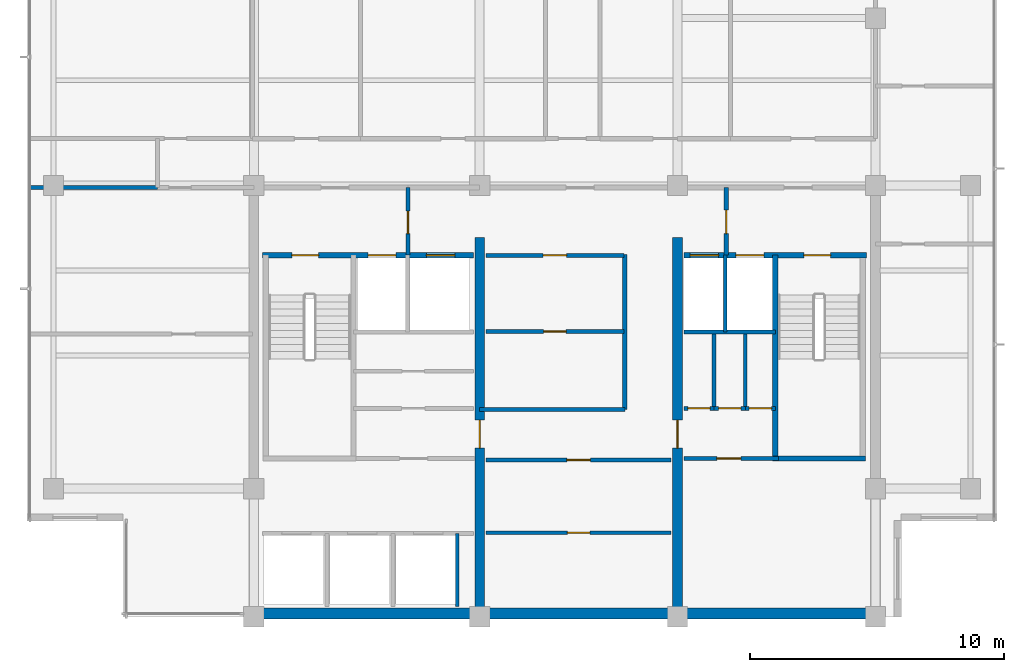
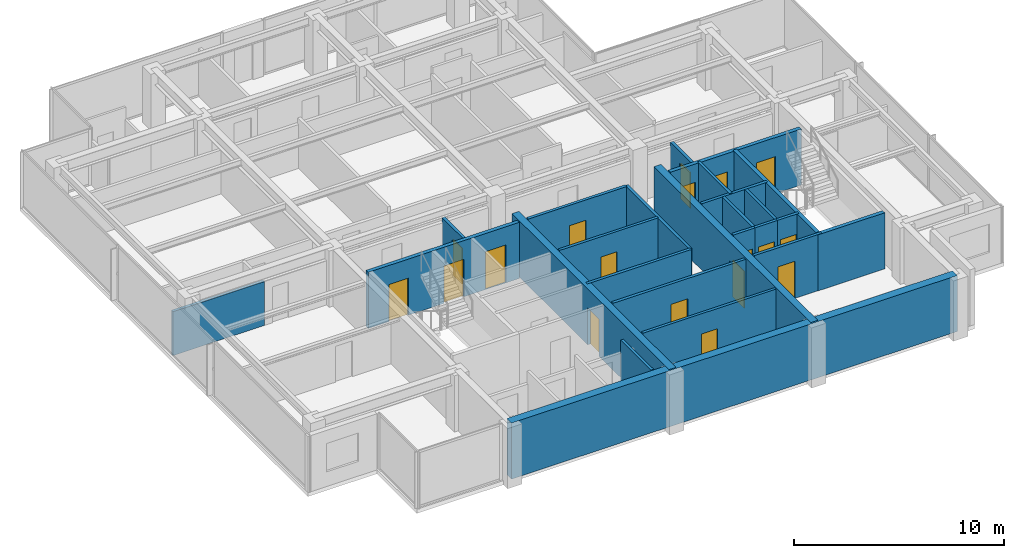
# One storey, part 6 of 11: 25 walls, 18 doors, 18 openings.
"""IFC4 building model written with IfcOpenShell, lengths in metres."""

from ifc_helpers import new_model, si_unit, direction, frame, frame_2d, origin, place, context, subcontext, project, spatial, rectangle, extrude, material, layer, layer_set, type_object, element, fill, save


model = new_model("IFC4")

# Units and contexts
model_context = context("Model", 3, precision=1e-05, world=origin(), true_north=direction((0.0, 1.0)))
body_context = subcontext(model_context, "Body", "Model", "MODEL_VIEW")
ifc_project = project(units=[si_unit("LENGTHUNIT", "METRE"), si_unit("AREAUNIT", "SQUARE_METRE"), si_unit("VOLUMEUNIT", "CUBIC_METRE"), si_unit("PLANEANGLEUNIT", "RADIAN"), si_unit("MASSUNIT", "GRAM", prefix="KILO")], contexts=[model_context])

# Site, building, storey
site_placement = place(None, origin())
site = spatial("IfcSite", under=ifc_project, at=site_placement, CompositionType="ELEMENT")
building_placement = place(site_placement, origin())
building = spatial("IfcBuilding", under=site, at=building_placement, Name="Qalmaran Belvedere Hotel", CompositionType="ELEMENT")
storey_placement = place(building_placement, frame((0.0, 0.0, 245.89990234375)))
storey = spatial("IfcBuildingStorey", under=building, at=storey_placement, Name="L63", CompositionType="ELEMENT", Elevation=245.89990234375)

# Wall, opening, door
ifc_material_1 = material(Name="Concrete C50/60", Category="concrete")
ifc_layer_1 = layer(ifc_material_1, 0.3798828125, Name="Concrete C50/60")
ifc_layer_set_1 = layer_set([ifc_layer_1], Name="Concrete C50/60")
wall_type_1 = type_object("IfcWallType", Name="WL-CORE-380-C50", PredefinedType="SHEAR", material=ifc_layer_set_1)
wall_1_placement = place(storey_placement, frame((29.199951171875, 3.5, 0.0), z_axis=(0.0, 0.0, 1.0), x_axis=(0.0, 1.0, 0.0)))
wall_1 = element("IfcWall", 1, at=wall_1_placement, inside=storey, type_object=wall_type_1, Name="L63 Core West Spine Shear Wall", PredefinedType="SHEAR", context=body_context, shape_type="SweptSolid", body=[
    extrude(rectangle(XDim=14.949951171875, YDim=0.3798828125, at=frame_2d((7.47509765625, 0.0))), origin(), (0.0, 0.0, 1.0), 3.260009765625),
])
opening_1_placement = place(wall_1_placement, frame((7.75, 0.0, 0.0), z_axis=(0.0, 0.0, 1.0), x_axis=(-1.0, 0.0, 0.0)))
opening_1 = element("IfcOpeningElement", 2, at=opening_1_placement, cuts=wall_1, Name="Opening FD90", PredefinedType="OPENING", context=body_context, shape_type="SweptSolid", body=[
    extrude(rectangle(XDim=1.10009765625, YDim=2.14990234375, at=frame_2d((0.550048828125, 1.074951171875))), frame((0.0, 0.199951171875, 0.0), z_axis=(0.0, -1.0, 0.0), x_axis=(1.0, 0.0, 0.0)), (0.0, 0.0, 1.0), 0.39990234375),
])
ifc_material_2 = material(Name="Steel S355JR", Category="steel")
door_type_1 = type_object("IfcDoorType", Name="DR-FD90-1100X2150", OperationType="NOTDEFINED", PredefinedType="DOOR", material=ifc_material_2)
door_1_placement = place(opening_1_placement, origin())
door_1 = element("IfcDoor", 3, at=door_1_placement, inside=storey, type_object=door_type_1, Name="L63 Core West Cross-Lobby Door", OperationType="SINGLE_SWING_LEFT", OverallHeight=2.14990234375, OverallWidth=1.10009765625, PredefinedType="DOOR", context=body_context, shape_type="SweptSolid", body=[
    extrude(rectangle(XDim=1.10009765625, YDim=2.14990234375, at=frame_2d((0.550048828125, 1.074951171875))), frame((0.0, 0.02490234375, 0.0), z_axis=(0.0, -1.0, 0.0), x_axis=(1.0, 0.0, 0.0)), (0.0, 0.0, 1.0), 0.050048828125),
])
fill(opening_1, door_1)

wall_2_placement = place(storey_placement, frame((37.0, 3.5, 0.0), z_axis=(0.0, 0.0, 1.0), x_axis=(0.0, 1.0, 0.0)))
wall_2 = element("IfcWall", 4, at=wall_2_placement, inside=storey, type_object=wall_type_1, Name="L63 Core East Spine Shear Wall", PredefinedType="SHEAR", context=body_context, shape_type="SweptSolid", body=[
    extrude(rectangle(XDim=14.949951171875, YDim=0.3798828125, at=frame_2d((7.47509765625, 0.0))), origin(), (0.0, 0.0, 1.0), 3.260009765625),
])
opening_2_placement = place(wall_2_placement, frame((6.64990234375, 0.0, 0.0)))
opening_2 = element("IfcOpeningElement", 5, at=opening_2_placement, cuts=wall_2, Name="Opening FD90", PredefinedType="OPENING", context=body_context, shape_type="SweptSolid", body=[
    extrude(rectangle(XDim=1.10009765625, YDim=2.14990234375, at=frame_2d((0.550048828125, 1.074951171875))), frame((0.0, 0.199951171875, 0.0), z_axis=(0.0, -1.0, 0.0), x_axis=(1.0, 0.0, 0.0)), (0.0, 0.0, 1.0), 0.39990234375),
])
door_2_placement = place(opening_2_placement, origin())
door_2 = element("IfcDoor", 6, at=door_2_placement, inside=storey, type_object=door_type_1, Name="L63 Core East Cross-Lobby Door", OperationType="SINGLE_SWING_RIGHT", OverallHeight=2.14990234375, OverallWidth=1.10009765625, PredefinedType="DOOR", context=body_context, shape_type="SweptSolid", body=[
    extrude(rectangle(XDim=1.10009765625, YDim=2.14990234375, at=frame_2d((0.550048828125, 1.074951171875))), frame((0.0, 0.02490234375, 0.0), z_axis=(0.0, -1.0, 0.0), x_axis=(1.0, 0.0, 0.0)), (0.0, 0.0, 1.0), 0.050048828125),
])
fill(opening_2, door_2)

# Walls
ifc_layer_2 = layer(ifc_material_1, 0.43994140625, Name="Concrete C50/60")
ifc_layer_set_2 = layer_set([ifc_layer_2], Name="Concrete C50/60")
wall_type_2 = type_object("IfcWallType", Name="WL-CORES-440-EXT", PredefinedType="SHEAR", material=ifc_layer_set_2)
wall_3_placement = place(storey_placement, frame((20.300048828125, 3.6298828125, 0.0), z_axis=(0.0, 0.0, 1.0), x_axis=(1.0, 0.0, 0.0)))
element("IfcWall", 7, at=wall_3_placement, inside=storey, type_object=wall_type_2, Name="L63 South Core Shear Wall", PredefinedType="SHEAR", context=body_context, shape_type="SweptSolid", body=[
    extrude(rectangle(XDim=24.5, YDim=0.43994140625, at=frame_2d((12.25, 0.0))), origin(), (0.0, 0.0, 1.0), 3.260009765625),
])
ifc_material_3 = material(Name="Gypsum Stud Partition")
ifc_layer_3 = layer(ifc_material_3, 0.14990234375, Name="Gypsum Stud Partition")
ifc_layer_set_3 = layer_set([ifc_layer_3], Name="Gypsum Stud Partition")
wall_type_3 = type_object("IfcWallType", Name="WL-INT-150-EI120", PredefinedType="PARTITIONING", material=ifc_layer_set_3)
wall_4_placement = place(storey_placement, frame((38.8798828125, 14.719970703125, 0.0), z_axis=(0.0, 0.0, 1.0), x_axis=(0.0, 1.0, 0.0)))
element("IfcWall", 8, at=wall_4_placement, inside=storey, type_object=wall_type_3, Name="L63 Partition WL-FF2M-L63", PredefinedType="PARTITIONING", context=body_context, shape_type="SweptSolid", body=[
    extrude(rectangle(XDim=3.0400390625, YDim=0.14990234375, at=frame_2d((1.52001953125, 0.0))), origin(), (0.0, 0.0, 1.0), 3.260009765625),
])
wall_5_placement = place(storey_placement, frame((28.320068359375, 3.89990234375, 0.0), z_axis=(0.0, 0.0, 1.0), x_axis=(0.0, 1.0, 0.0)))
element("IfcWall", 9, at=wall_5_placement, inside=storey, type_object=wall_type_3, Name="L63 Partition WL-POM3-L63", PredefinedType="PARTITIONING", context=body_context, shape_type="SweptSolid", body=[
    extrude(rectangle(XDim=2.880126953125, YDim=0.14990234375, at=frame_2d((1.43994140625, 0.0))), origin(), (0.0, 0.0, 1.0), 3.260009765625),
])
ifc_layer_4 = layer(ifc_material_3, 0.14990234375, Name="Gypsum Stud Partition")
ifc_layer_set_4 = layer_set([ifc_layer_4], Name="Gypsum Stud Partition")
wall_type_4 = type_object("IfcWallType", Name="WL-INT-150-EI60", PredefinedType="PARTITIONING", material=ifc_layer_set_4)
for number, where, z_axis, x_axis, name in (
    (10, (38.44140625, 11.719970703125, 0.0), (0.0, 0.0, 1.0), (0.0, 1.0, 0.0), "L63 Partition WL-L63-KEV1"),
    (11, (39.668701171875, 11.719970703125, 0.0), (0.0, 0.0, 1.0), (0.0, 1.0, 0.0), "L63 Partition WL-L63-KEV2"),
):
    element("IfcWall", number, at=place(storey_placement, frame(where, z_axis=z_axis, x_axis=x_axis)), inside=storey, type_object=wall_type_4, Name=name, PredefinedType="PARTITIONING", context=body_context, shape_type="SweptSolid", body=[
        extrude(rectangle(XDim=2.929931640625, YDim=0.14990234375, at=frame_2d((1.46484375, 0.0))), origin(), (0.0, 0.0, 1.0), 3.260009765625),
    ])

# Wall, opening, door
wall_6_placement = place(storey_placement, frame((29.449951171875, 6.81494140625, 0.0), z_axis=(0.0, 0.0, 1.0), x_axis=(1.0, 0.0, 0.0)))
wall_6 = element("IfcWall", 12, at=wall_6_placement, inside=storey, type_object=wall_type_4, Name="L63 Partition WL-L63-KPLHM", PredefinedType="PARTITIONING", context=body_context, shape_type="SweptSolid", body=[
    extrude(rectangle(XDim=7.300048828125, YDim=0.14990234375, at=frame_2d((3.64990234375, 0.0))), origin(), (0.0, 0.0, 1.0), 3.260009765625),
])
opening_3_placement = place(wall_6_placement, frame((4.08984375, 0.0, 0.0), z_axis=(0.0, 0.0, 1.0), x_axis=(-1.0, 0.0, 0.0)))
opening_3 = element("IfcOpeningElement", 13, at=opening_3_placement, cuts=wall_6, Name="Opening FD60B", PredefinedType="OPENING", context=body_context, shape_type="SweptSolid", body=[
    extrude(rectangle(XDim=0.8798828125, YDim=2.080078125, at=frame_2d((0.43994140625, 1.0400390625))), frame((0.0, 0.0849609375, 0.0), z_axis=(0.0, -1.0, 0.0), x_axis=(1.0, 0.0, 0.0)), (0.0, 0.0, 1.0), 0.169921875),
])
door_type_2 = type_object("IfcDoorType", Name="DR-FD60B-880X2080", OperationType="NOTDEFINED", PredefinedType="DOOR", material=ifc_material_2)
door_3_placement = place(opening_3_placement, origin())
door_3 = element("IfcDoor", 14, at=door_3_placement, inside=storey, type_object=door_type_2, Name="L63 Housekeeping and Linen Room Door", OperationType="SINGLE_SWING_RIGHT", OverallHeight=2.080078125, OverallWidth=0.8798828125, PredefinedType="DOOR", context=body_context, shape_type="SweptSolid", body=[
    extrude(rectangle(XDim=0.8798828125, YDim=2.080078125, at=frame_2d((0.43994140625, 1.0400390625))), frame((0.0, 0.02490234375, 0.0), z_axis=(0.0, -1.0, 0.0), x_axis=(1.0, 0.0, 0.0)), (0.0, 0.0, 1.0), 0.050048828125),
])
fill(opening_3, door_3)

wall_7_placement = place(storey_placement, frame((29.449951171875, 14.7451171875, 0.0), z_axis=(0.0, 0.0, 1.0), x_axis=(1.0, 0.0, 0.0)))
wall_7 = element("IfcWall", 15, at=wall_7_placement, inside=storey, type_object=wall_type_4, Name="L63 Partition WL-L63-KPMHM", PredefinedType="PARTITIONING", context=body_context, shape_type="SweptSolid", body=[
    extrude(rectangle(XDim=5.429931640625, YDim=0.14990234375, at=frame_2d((2.71484375, 0.0))), origin(), (0.0, 0.0, 1.0), 3.260009765625),
])
opening_4_placement = place(wall_7_placement, frame((3.15478515625, 0.0, 0.0), z_axis=(0.0, 0.0, 1.0), x_axis=(-1.0, 0.0, 0.0)))
opening_4 = element("IfcOpeningElement", 16, at=opening_4_placement, cuts=wall_7, Name="Opening FD60B", PredefinedType="OPENING", context=body_context, shape_type="SweptSolid", body=[
    extrude(rectangle(XDim=0.8798828125, YDim=2.080078125, at=frame_2d((0.43994140625, 1.0400390625))), frame((0.0, 0.0849609375, 0.0), z_axis=(0.0, -1.0, 0.0), x_axis=(1.0, 0.0, 0.0)), (0.0, 0.0, 1.0), 0.169921875),
])
door_4_placement = place(opening_4_placement, origin())
door_4 = element("IfcDoor", 17, at=door_4_placement, inside=storey, type_object=door_type_2, Name="L63 Executive Butler Pantry Door", OperationType="SINGLE_SWING_RIGHT", OverallHeight=2.080078125, OverallWidth=0.8798828125, PredefinedType="DOOR", context=body_context, shape_type="SweptSolid", body=[
    extrude(rectangle(XDim=0.8798828125, YDim=2.080078125, at=frame_2d((0.43994140625, 1.0400390625))), frame((0.0, 0.02490234375, 0.0), z_axis=(0.0, -1.0, 0.0), x_axis=(1.0, 0.0, 0.0)), (0.0, 0.0, 1.0), 0.050048828125),
])
fill(opening_4, door_4)

ifc_layer_5 = layer(ifc_material_3, 0.159912109375, Name="Gypsum Stud Partition")
ifc_layer_set_5 = layer_set([ifc_layer_5], Name="Gypsum Stud Partition")
wall_type_5 = type_object("IfcWallType", Name="WL-INT-160-EI120", PredefinedType="PARTITIONING", material=ifc_layer_set_5)
wall_8_placement = place(storey_placement, frame((26.3798828125, 17.760009765625, 0.0), z_axis=(0.0, 0.0, 1.0), x_axis=(0.0, 1.0, 0.0)))
wall_8 = element("IfcWall", 18, at=wall_8_placement, inside=storey, type_object=wall_type_5, Name="L63 Partition WL-FFSV1-L63", PredefinedType="PARTITIONING", context=body_context, shape_type="SweptSolid", body=[
    extrude(rectangle(XDim=2.659912109375, YDim=0.159912109375, at=frame_2d((1.330078125, 0.0))), origin(), (0.0, 0.0, 1.0), 2.781982421875),
])
opening_5_placement = place(wall_8_placement, frame((0.85009765625, 0.0, 0.0)))
opening_5 = element("IfcOpeningElement", 19, at=opening_5_placement, cuts=wall_8, Name="Opening FD60B", PredefinedType="OPENING", context=body_context, shape_type="SweptSolid", body=[
    extrude(rectangle(XDim=0.8798828125, YDim=2.080078125, at=frame_2d((0.43994140625, 1.0400390625))), frame((0.0, 0.08984375, 0.0), z_axis=(0.0, -1.0, 0.0), x_axis=(1.0, 0.0, 0.0)), (0.0, 0.0, 1.0), 0.179931640625),
])
door_5_placement = place(opening_5_placement, origin())
door_5 = element("IfcDoor", 20, at=door_5_placement, inside=storey, type_object=door_type_2, Name="L63 Service Lobby West Door", OperationType="SINGLE_SWING_LEFT", OverallHeight=2.080078125, OverallWidth=0.8798828125, PredefinedType="DOOR", context=body_context, shape_type="SweptSolid", body=[
    extrude(rectangle(XDim=0.8798828125, YDim=2.080078125, at=frame_2d((0.43994140625, 1.0400390625))), frame((0.0, 0.02490234375, 0.0), z_axis=(0.0, -1.0, 0.0), x_axis=(1.0, 0.0, 0.0)), (0.0, 0.0, 1.0), 0.050048828125),
])
fill(opening_5, door_5)

wall_9_placement = place(storey_placement, frame((38.919921875, 17.760009765625, 0.0), z_axis=(0.0, 0.0, 1.0), x_axis=(0.0, 1.0, 0.0)))
wall_9 = element("IfcWall", 21, at=wall_9_placement, inside=storey, type_object=wall_type_5, Name="L63 Partition WL-FFSV2-L63", PredefinedType="PARTITIONING", context=body_context, shape_type="SweptSolid", body=[
    extrude(rectangle(XDim=2.659912109375, YDim=0.159912109375, at=frame_2d((1.330078125, 0.0))), origin(), (0.0, 0.0, 1.0), 2.781982421875),
])
opening_6_placement = place(wall_9_placement, frame((1.77001953125, 0.0, 0.0), z_axis=(0.0, 0.0, 1.0), x_axis=(-1.0, 0.0, 0.0)))
opening_6 = element("IfcOpeningElement", 22, at=opening_6_placement, cuts=wall_9, Name="Opening FD60S1", PredefinedType="OPENING", context=body_context, shape_type="SweptSolid", body=[
    extrude(rectangle(XDim=0.919921875, YDim=2.080078125, at=frame_2d((0.4599609375, 1.0400390625))), frame((0.0, 0.08984375, 0.0), z_axis=(0.0, -1.0, 0.0), x_axis=(1.0, 0.0, 0.0)), (0.0, 0.0, 1.0), 0.179931640625),
])
ifc_material_4 = material(Name="Engineered Oak Veneer")
door_type_3 = type_object("IfcDoorType", Name="DR-FD60S-920X2080", OperationType="NOTDEFINED", PredefinedType="DOOR", material=ifc_material_4)
door_6_placement = place(opening_6_placement, origin())
door_6 = element("IfcDoor", 23, at=door_6_placement, inside=storey, type_object=door_type_3, Name="L63 Service Lobby East Door", OperationType="SINGLE_SWING_RIGHT", OverallHeight=2.080078125, OverallWidth=0.919921875, PredefinedType="DOOR", context=body_context, shape_type="SweptSolid", body=[
    extrude(rectangle(XDim=0.919921875, YDim=2.080078125, at=frame_2d((0.4599609375, 1.0400390625))), frame((0.0, 0.02490234375, 0.0), z_axis=(0.0, -1.0, 0.0), x_axis=(1.0, 0.0, 0.0)), (0.0, 0.0, 1.0), 0.050048828125),
])
fill(opening_6, door_6)

# Wall
wall_10_placement = place(storey_placement, frame((37.25, 14.719970703125, 0.0), z_axis=(0.0, 0.0, 1.0), x_axis=(1.0, 0.0, 0.0)))
element("IfcWall", 24, at=wall_10_placement, inside=storey, type_object=wall_type_5, Name="L63 Partition WL-FF2S-L63", PredefinedType="PARTITIONING", context=body_context, shape_type="SweptSolid", body=[
    extrude(rectangle(XDim=3.610107421875, YDim=0.159912109375, at=frame_2d((1.80517578125, 0.0))), origin(), (0.0, 0.0, 1.0), 3.260009765625),
])

# Wall, opening, door
ifc_layer_6 = layer(ifc_material_3, 0.159912109375, Name="Gypsum Stud Partition")
ifc_layer_set_6 = layer_set([ifc_layer_6], Name="Gypsum Stud Partition")
wall_type_6 = type_object("IfcWallType", Name="WL-INT-160-EI60", PredefinedType="PARTITIONING", material=ifc_layer_set_6)
wall_11_placement = place(storey_placement, frame((37.25, 11.719970703125, 0.0), z_axis=(0.0, 0.0, 1.0), x_axis=(1.0, 0.0, 0.0)))
wall_11 = element("IfcWall", 25, at=wall_11_placement, inside=storey, type_object=wall_type_6, Name="L63 Partition WL-L63-KEE1", PredefinedType="PARTITIONING", context=body_context, shape_type="SweptSolid", body=[
    extrude(rectangle(XDim=1.19140625, YDim=0.159912109375, at=frame_2d((0.595703125, 0.0))), origin(), (0.0, 0.0, 1.0), 3.260009765625),
])
opening_7_placement = place(wall_11_placement, frame((0.155517578125, 0.0, 0.0)))
opening_7 = element("IfcOpeningElement", 26, at=opening_7_placement, cuts=wall_11, Name="Opening FD60B", PredefinedType="OPENING", context=body_context, shape_type="SweptSolid", body=[
    extrude(rectangle(XDim=0.8798828125, YDim=2.080078125, at=frame_2d((0.43994140625, 1.0400390625))), frame((0.0, 0.08984375, 0.0), z_axis=(0.0, -1.0, 0.0), x_axis=(1.0, 0.0, 0.0)), (0.0, 0.0, 1.0), 0.179931640625),
])
door_7_placement = place(opening_7_placement, origin())
door_7 = element("IfcDoor", 27, at=door_7_placement, inside=storey, type_object=door_type_2, Name="L63 Hotel Linen Closet Door", OperationType="SINGLE_SWING_RIGHT", OverallHeight=2.080078125, OverallWidth=0.8798828125, PredefinedType="DOOR", context=body_context, shape_type="SweptSolid", body=[
    extrude(rectangle(XDim=0.8798828125, YDim=2.080078125, at=frame_2d((0.43994140625, 1.0400390625))), frame((0.0, 0.02490234375, 0.0), z_axis=(0.0, -1.0, 0.0), x_axis=(1.0, 0.0, 0.0)), (0.0, 0.0, 1.0), 0.050048828125),
])
fill(opening_7, door_7)

wall_12_placement = place(storey_placement, frame((38.44140625, 11.719970703125, 0.0), z_axis=(0.0, 0.0, 1.0), x_axis=(1.0, 0.0, 0.0)))
wall_12 = element("IfcWall", 28, at=wall_12_placement, inside=storey, type_object=wall_type_6, Name="L63 Partition WL-L63-KEE2", PredefinedType="PARTITIONING", context=body_context, shape_type="SweptSolid", body=[
    extrude(rectangle(XDim=1.227294921875, YDim=0.159912109375, at=frame_2d((0.61376953125, 0.0))), origin(), (0.0, 0.0, 1.0), 3.260009765625),
])
opening_8_placement = place(wall_12_placement, frame((0.173583984375, 0.0, 0.0)))
opening_8 = element("IfcOpeningElement", 29, at=opening_8_placement, cuts=wall_12, Name="Opening FD60B", PredefinedType="OPENING", context=body_context, shape_type="SweptSolid", body=[
    extrude(rectangle(XDim=0.8798828125, YDim=2.080078125, at=frame_2d((0.43994140625, 1.0400390625))), frame((0.0, 0.08984375, 0.0), z_axis=(0.0, -1.0, 0.0), x_axis=(1.0, 0.0, 0.0)), (0.0, 0.0, 1.0), 0.179931640625),
])
door_8_placement = place(opening_8_placement, origin())
door_8 = element("IfcDoor", 30, at=door_8_placement, inside=storey, type_object=door_type_2, Name="L63 Guest Ice and Beverage Pantry Door", OperationType="SINGLE_SWING_LEFT", OverallHeight=2.080078125, OverallWidth=0.8798828125, PredefinedType="DOOR", context=body_context, shape_type="SweptSolid", body=[
    extrude(rectangle(XDim=0.8798828125, YDim=2.080078125, at=frame_2d((0.43994140625, 1.0400390625))), frame((0.0, 0.02490234375, 0.0), z_axis=(0.0, -1.0, 0.0), x_axis=(1.0, 0.0, 0.0)), (0.0, 0.0, 1.0), 0.050048828125),
])
fill(opening_8, door_8)

wall_13_placement = place(storey_placement, frame((39.668701171875, 11.719970703125, 0.0), z_axis=(0.0, 0.0, 1.0), x_axis=(1.0, 0.0, 0.0)))
wall_13 = element("IfcWall", 31, at=wall_13_placement, inside=storey, type_object=wall_type_6, Name="L63 Partition WL-L63-KEE3", PredefinedType="PARTITIONING", context=body_context, shape_type="SweptSolid", body=[
    extrude(rectangle(XDim=1.19140625, YDim=0.159912109375, at=frame_2d((0.595703125, 0.0))), origin(), (0.0, 0.0, 1.0), 3.260009765625),
])
opening_9_placement = place(wall_13_placement, frame((0.155517578125, 0.0, 0.0)))
opening_9 = element("IfcOpeningElement", 32, at=opening_9_placement, cuts=wall_13, Name="Opening FD60B", PredefinedType="OPENING", context=body_context, shape_type="SweptSolid", body=[
    extrude(rectangle(XDim=0.8798828125, YDim=2.080078125, at=frame_2d((0.43994140625, 1.0400390625))), frame((0.0, 0.08984375, 0.0), z_axis=(0.0, -1.0, 0.0), x_axis=(1.0, 0.0, 0.0)), (0.0, 0.0, 1.0), 0.179931640625),
])
door_9_placement = place(opening_9_placement, origin())
door_9 = element("IfcDoor", 33, at=door_9_placement, inside=storey, type_object=door_type_2, Name="L63 Cleaner Equipment Store Door", OperationType="SINGLE_SWING_RIGHT", OverallHeight=2.080078125, OverallWidth=0.8798828125, PredefinedType="DOOR", context=body_context, shape_type="SweptSolid", body=[
    extrude(rectangle(XDim=0.8798828125, YDim=2.080078125, at=frame_2d((0.43994140625, 1.0400390625))), frame((0.0, 0.02490234375, 0.0), z_axis=(0.0, -1.0, 0.0), x_axis=(1.0, 0.0, 0.0)), (0.0, 0.0, 1.0), 0.050048828125),
])
fill(opening_9, door_9)

wall_14_placement = place(storey_placement, frame((37.25, 9.739990234375, 0.0), z_axis=(0.0, 0.0, 1.0), x_axis=(1.0, 0.0, 0.0)))
wall_14 = element("IfcWall", 34, at=wall_14_placement, inside=storey, type_object=wall_type_6, Name="L63 Partition WL-PHFR-L63", PredefinedType="PARTITIONING", context=body_context, shape_type="SweptSolid", body=[
    extrude(rectangle(XDim=3.72998046875, YDim=0.159912109375, at=frame_2d((1.864990234375, 0.0))), origin(), (0.0, 0.0, 1.0), 3.260009765625),
])
opening_10_placement = place(wall_14_placement, frame((2.25, 0.0, 0.0), z_axis=(0.0, 0.0, 1.0), x_axis=(-1.0, 0.0, 0.0)))
opening_10 = element("IfcOpeningElement", 35, at=opening_10_placement, cuts=wall_14, Name="Opening FD60", PredefinedType="OPENING", context=body_context, shape_type="SweptSolid", body=[
    extrude(rectangle(XDim=0.949951171875, YDim=2.14990234375, at=frame_2d((0.47509765625, 1.074951171875))), frame((0.0, 0.08984375, 0.0), z_axis=(0.0, -1.0, 0.0), x_axis=(1.0, 0.0, 0.0)), (0.0, 0.0, 1.0), 0.179931640625),
])
door_type_4 = type_object("IfcDoorType", Name="DR-FD60-950X2150", OperationType="NOTDEFINED", PredefinedType="DOOR", material=ifc_material_4)
door_10_placement = place(opening_10_placement, origin())
door_10 = element("IfcDoor", 36, at=door_10_placement, inside=storey, type_object=door_type_4, Name="L63 Freed PH Room Door", OperationType="SINGLE_SWING_RIGHT", OverallHeight=2.14990234375, OverallWidth=0.949951171875, PredefinedType="DOOR", context=body_context, shape_type="SweptSolid", body=[
    extrude(rectangle(XDim=0.949951171875, YDim=2.14990234375, at=frame_2d((0.47509765625, 1.074951171875))), frame((0.0, 0.02490234375, 0.0), z_axis=(0.0, -1.0, 0.0), x_axis=(1.0, 0.0, 0.0)), (0.0, 0.0, 1.0), 0.050048828125),
])
fill(opening_10, door_10)

# Wall
wall_15_placement = place(storey_placement, frame((34.919921875, 11.679931640625, 0.0), z_axis=(0.0, 0.0, 1.0), x_axis=(0.0, 1.0, 0.0)))
element("IfcWall", 37, at=wall_15_placement, inside=storey, type_object=wall_type_6, Name="L63 Partition WL-CLLV-L63", PredefinedType="PARTITIONING", context=body_context, shape_type="SweptSolid", body=[
    extrude(rectangle(XDim=6.10009765625, YDim=0.159912109375, at=frame_2d((3.050048828125, 0.0))), origin(), (0.0, 0.0, 1.0), 3.260009765625),
])

# Wall, opening, door
wall_16_placement = place(storey_placement, frame((29.449951171875, 9.679931640625, 0.0), z_axis=(0.0, 0.0, 1.0), x_axis=(1.0, 0.0, 0.0)))
wall_16 = element("IfcWall", 38, at=wall_16_placement, inside=storey, type_object=wall_type_6, Name="L63 Partition WL-L63-KPLE1", PredefinedType="PARTITIONING", context=body_context, shape_type="SweptSolid", body=[
    extrude(rectangle(XDim=7.300048828125, YDim=0.159912109375, at=frame_2d((3.64990234375, 0.0))), origin(), (0.0, 0.0, 1.0), 3.260009765625),
])
opening_11_placement = place(wall_16_placement, frame((4.10986328125, 0.0, 0.0), z_axis=(0.0, 0.0, 1.0), x_axis=(-1.0, 0.0, 0.0)))
opening_11 = element("IfcOpeningElement", 39, at=opening_11_placement, cuts=wall_16, Name="Opening FD60S1", PredefinedType="OPENING", context=body_context, shape_type="SweptSolid", body=[
    extrude(rectangle(XDim=0.919921875, YDim=2.080078125, at=frame_2d((0.4599609375, 1.0400390625))), frame((0.0, 0.08984375, 0.0), z_axis=(0.0, -1.0, 0.0), x_axis=(1.0, 0.0, 0.0)), (0.0, 0.0, 1.0), 0.179931640625),
])
door_11_placement = place(opening_11_placement, origin())
door_11 = element("IfcDoor", 40, at=door_11_placement, inside=storey, type_object=door_type_3, Name="L63 Guest Valet Supply Store Door", OperationType="SINGLE_SWING_LEFT", OverallHeight=2.080078125, OverallWidth=0.919921875, PredefinedType="DOOR", context=body_context, shape_type="SweptSolid", body=[
    extrude(rectangle(XDim=0.919921875, YDim=2.080078125, at=frame_2d((0.4599609375, 1.0400390625))), frame((0.0, 0.02490234375, 0.0), z_axis=(0.0, -1.0, 0.0), x_axis=(1.0, 0.0, 0.0)), (0.0, 0.0, 1.0), 0.050048828125),
])
fill(opening_11, door_11)

# Wall
wall_17_placement = place(storey_placement, frame((29.199951171875, 11.679931640625, 0.0), z_axis=(0.0, 0.0, 1.0), x_axis=(1.0, 0.0, 0.0)))
element("IfcWall", 41, at=wall_17_placement, inside=storey, type_object=wall_type_6, Name="L63 Partition WL-PMFS-L63", PredefinedType="PARTITIONING", context=body_context, shape_type="SweptSolid", body=[
    extrude(rectangle(XDim=5.719970703125, YDim=0.159912109375, at=frame_2d((2.85986328125, 0.0))), origin(), (0.0, 0.0, 1.0), 3.260009765625),
])

# Wall, opening, door
wall_18_placement = place(storey_placement, frame((29.449951171875, 17.75, 0.0), z_axis=(0.0, 0.0, 1.0), x_axis=(1.0, 0.0, 0.0)))
wall_18 = element("IfcWall", 42, at=wall_18_placement, inside=storey, type_object=wall_type_6, Name="L63 Partition WL-L63-KPME1", PredefinedType="PARTITIONING", context=body_context, shape_type="SweptSolid", body=[
    extrude(rectangle(XDim=5.429931640625, YDim=0.159912109375, at=frame_2d((2.71484375, 0.0))), origin(), (0.0, 0.0, 1.0), 3.260009765625),
])
opening_12_placement = place(wall_18_placement, frame((3.1748046875, 0.0, 0.0), z_axis=(0.0, 0.0, 1.0), x_axis=(-1.0, 0.0, 0.0)))
opening_12 = element("IfcOpeningElement", 43, at=opening_12_placement, cuts=wall_18, Name="Opening FD60S1", PredefinedType="OPENING", context=body_context, shape_type="SweptSolid", body=[
    extrude(rectangle(XDim=0.919921875, YDim=2.080078125, at=frame_2d((0.4599609375, 1.0400390625))), frame((0.0, 0.08984375, 0.0), z_axis=(0.0, -1.0, 0.0), x_axis=(1.0, 0.0, 0.0)), (0.0, 0.0, 1.0), 0.179931640625),
])
door_12_placement = place(opening_12_placement, origin())
door_12 = element("IfcDoor", 44, at=door_12_placement, inside=storey, type_object=door_type_3, Name="L63 Core Tableware Store Door", OperationType="SINGLE_SWING_LEFT", OverallHeight=2.080078125, OverallWidth=0.919921875, PredefinedType="DOOR", context=body_context, shape_type="SweptSolid", body=[
    extrude(rectangle(XDim=0.919921875, YDim=2.080078125, at=frame_2d((0.4599609375, 1.0400390625))), frame((0.0, 0.02490234375, 0.0), z_axis=(0.0, -1.0, 0.0), x_axis=(1.0, 0.0, 0.0)), (0.0, 0.0, 1.0), 0.050048828125),
])
fill(opening_12, door_12)

# Wall
wall_19_placement = place(storey_placement, frame((11.469970703125, 20.419921875, 0.0), z_axis=(0.0, 0.0, 1.0), x_axis=(1.0, 0.0, 0.0)))
element("IfcWall", 45, at=wall_19_placement, inside=storey, type_object=wall_type_6, Name="L63 Partition WL-L63-C4WS1", PredefinedType="PARTITIONING", context=body_context, shape_type="SweptSolid", body=[
    extrude(rectangle(XDim=5.030029296875, YDim=0.159912109375, at=frame_2d((2.51513671875, 0.0))), origin(), (0.0, 0.0, 1.0), 2.550048828125),
])

# Wall, openings, doors
ifc_layer_7 = layer(ifc_material_1, 0.2099609375, Name="Concrete C50/60")
ifc_layer_set_7 = layer_set([ifc_layer_7], Name="Concrete C50/60")
wall_type_7 = type_object("IfcWallType", Name="WL-STAIR-210-C50", PredefinedType="SHEAR", material=ifc_layer_set_7)
wall_20_placement = place(storey_placement, frame((20.64990234375, 17.7548828125, 0.0), z_axis=(0.0, 0.0, 1.0), x_axis=(1.0, 0.0, 0.0)))
wall_20 = element("IfcWall", 46, at=wall_20_placement, inside=storey, type_object=wall_type_7, Name="L63 West Lobby and Stair ST-1 North Bearing Wall", PredefinedType="SHEAR", context=body_context, shape_type="SweptSolid", body=[
    extrude(rectangle(XDim=8.300048828125, YDim=0.2099609375, at=frame_2d((4.14990234375, 0.0))), origin(), (0.0, 0.0, 1.0), 3.260009765625),
])
opening_13_placement = place(wall_20_placement, frame((2.199951171875, 0.0, 0.0), z_axis=(0.0, 0.0, 1.0), x_axis=(-1.0, 0.0, 0.0)))
opening_13 = element("IfcOpeningElement", 47, at=opening_13_placement, cuts=wall_20, Name="Opening FD90S2", PredefinedType="OPENING", context=body_context, shape_type="SweptSolid", body=[
    extrude(rectangle(XDim=1.050048828125, YDim=2.14990234375, at=frame_2d((0.52490234375, 1.074951171875))), frame((0.0, 0.114990234375, 0.0), z_axis=(0.0, -1.0, 0.0), x_axis=(1.0, 0.0, 0.0)), (0.0, 0.0, 1.0), 0.22998046875),
])
opening_14_placement = place(wall_20_placement, frame((4.14990234375, 0.0, 0.0)))
opening_14 = element("IfcOpeningElement", 48, at=opening_14_placement, cuts=wall_20, Name="Opening LD-FF", PredefinedType="OPENING", context=body_context, shape_type="SweptSolid", body=[
    extrude(rectangle(XDim=1.10009765625, YDim=2.179931640625, at=frame_2d((0.550048828125, 1.08984375))), frame((0.0, 0.114990234375, 0.0), z_axis=(0.0, -1.0, 0.0), x_axis=(1.0, 0.0, 0.0)), (0.0, 0.0, 1.0), 0.22998046875),
])
opening_15_placement = place(wall_20_placement, frame((6.449951171875, 0.0, 0.0)))
opening_15 = element("IfcOpeningElement", 49, at=opening_15_placement, cuts=wall_20, Name="Opening LD-SV", PredefinedType="OPENING", context=body_context, shape_type="SweptSolid", body=[
    extrude(rectangle(XDim=1.1201171875, YDim=2.199951171875, at=frame_2d((0.56005859375, 1.10009765625))), frame((0.0, 0.114990234375, 0.0), z_axis=(0.0, -1.0, 0.0), x_axis=(1.0, 0.0, 0.0)), (0.0, 0.0, 1.0), 0.22998046875),
])
door_type_5 = type_object("IfcDoorType", Name="DR-FD90S-1050X2150", OperationType="NOTDEFINED", PredefinedType="DOOR", material=ifc_material_2)
door_13_placement = place(opening_13_placement, origin())
door_13 = element("IfcDoor", 50, at=door_13_placement, inside=storey, type_object=door_type_5, Name="L63 Stair ST-1 Door", OperationType="SINGLE_SWING_LEFT", OverallHeight=2.14990234375, OverallWidth=1.050048828125, PredefinedType="DOOR", context=body_context, shape_type="SweptSolid", body=[
    extrude(rectangle(XDim=1.050048828125, YDim=2.14990234375, at=frame_2d((0.52490234375, 1.074951171875))), frame((0.0, 0.02490234375, 0.0), z_axis=(0.0, -1.0, 0.0), x_axis=(1.0, 0.0, 0.0)), (0.0, 0.0, 1.0), 0.050048828125),
])
fill(opening_13, door_13)
ifc_material_5 = material(Name="Stainless Steel 1.4401", Category="steel")
door_type_6 = type_object("IfcDoorType", Name="DR-LIFT-FF-1100X2180", OperationType="DOUBLE_DOOR_SLIDING", PredefinedType="DOOR", material=ifc_material_5)
door_14_placement = place(opening_14_placement, origin())
door_14 = element("IfcDoor", 51, at=door_14_placement, inside=storey, type_object=door_type_6, Name="L63 FF1 Lift Landing Door", OperationType="DOUBLE_DOOR_SLIDING", OverallHeight=2.179931640625, OverallWidth=1.10009765625, PredefinedType="DOOR", context=body_context, shape_type="SweptSolid", body=[
    extrude(rectangle(XDim=1.10009765625, YDim=2.179931640625, at=frame_2d((0.550048828125, 1.08984375))), frame((0.0, 0.02490234375, 0.0), z_axis=(0.0, -1.0, 0.0), x_axis=(1.0, 0.0, 0.0)), (0.0, 0.0, 1.0), 0.050048828125),
])
fill(opening_14, door_14)
door_type_7 = type_object("IfcDoorType", Name="DR-LIFT-SV-1120X2200", OperationType="DOUBLE_DOOR_SLIDING", PredefinedType="DOOR", material=ifc_material_5)
door_15_placement = place(opening_15_placement, origin())
door_15 = element("IfcDoor", 52, at=door_15_placement, inside=storey, type_object=door_type_7, Name="L63 SV1 Lift Landing Door", OperationType="DOUBLE_DOOR_SLIDING", OverallHeight=2.199951171875, OverallWidth=1.1201171875, PredefinedType="DOOR", context=body_context, shape_type="SweptSolid", body=[
    extrude(rectangle(XDim=1.1201171875, YDim=2.199951171875, at=frame_2d((0.56005859375, 1.10009765625))), frame((0.0, 0.02490234375, 0.0), z_axis=(0.0, -1.0, 0.0), x_axis=(1.0, 0.0, 0.0)), (0.0, 0.0, 1.0), 0.050048828125),
])
fill(opening_15, door_15)

# Walls
wall_21_placement = place(storey_placement, frame((40.85498046875, 9.7451171875, 0.0), z_axis=(0.0, 0.0, 1.0), x_axis=(0.0, 1.0, 0.0)))
element("IfcWall", 53, at=wall_21_placement, inside=storey, type_object=wall_type_7, Name="L63 Stair ST-2 West Bearing Wall", PredefinedType="SHEAR", context=body_context, shape_type="SweptSolid", body=[
    extrude(rectangle(XDim=8.009765625, YDim=0.2099609375, at=frame_2d((4.0048828125, 0.0))), origin(), (0.0, 0.0, 1.0), 3.260009765625),
])
wall_22_placement = place(storey_placement, frame((40.75, 9.7451171875, 0.0), z_axis=(0.0, 0.0, 1.0), x_axis=(1.0, 0.0, 0.0)))
element("IfcWall", 54, at=wall_22_placement, inside=storey, type_object=wall_type_7, Name="L63 Stair ST-2 South Bearing Wall", PredefinedType="SHEAR", context=body_context, shape_type="SweptSolid", body=[
    extrude(rectangle(XDim=3.659912109375, YDim=0.2099609375, at=frame_2d((1.830078125, 0.0))), origin(), (0.0, 0.0, 1.0), 3.260009765625),
])

# Wall, openings, doors
wall_23_placement = place(storey_placement, frame((37.25, 17.7548828125, 0.0), z_axis=(0.0, 0.0, 1.0), x_axis=(1.0, 0.0, 0.0)))
wall_23 = element("IfcWall", 55, at=wall_23_placement, inside=storey, type_object=wall_type_7, Name="L63 East Lobby and Stair ST-2 North Bearing Wall", PredefinedType="SHEAR", context=body_context, shape_type="SweptSolid", body=[
    extrude(rectangle(XDim=7.199951171875, YDim=0.2099609375, at=frame_2d((3.60009765625, 0.0))), origin(), (0.0, 0.0, 1.0), 3.260009765625),
])
opening_16_placement = place(wall_23_placement, frame((0.25, 0.0, 0.0)))
opening_16 = element("IfcOpeningElement", 56, at=opening_16_placement, cuts=wall_23, Name="Opening LD-SV", PredefinedType="OPENING", context=body_context, shape_type="SweptSolid", body=[
    extrude(rectangle(XDim=1.1201171875, YDim=2.199951171875, at=frame_2d((0.56005859375, 1.10009765625))), frame((0.0, 0.114990234375, 0.0), z_axis=(0.0, -1.0, 0.0), x_axis=(1.0, 0.0, 0.0)), (0.0, 0.0, 1.0), 0.22998046875),
])
opening_17_placement = place(wall_23_placement, frame((2.050048828125, 0.0, 0.0)))
opening_17 = element("IfcOpeningElement", 57, at=opening_17_placement, cuts=wall_23, Name="Opening LD-FF", PredefinedType="OPENING", context=body_context, shape_type="SweptSolid", body=[
    extrude(rectangle(XDim=1.10009765625, YDim=2.179931640625, at=frame_2d((0.550048828125, 1.08984375))), frame((0.0, 0.114990234375, 0.0), z_axis=(0.0, -1.0, 0.0), x_axis=(1.0, 0.0, 0.0)), (0.0, 0.0, 1.0), 0.22998046875),
])
opening_18_placement = place(wall_23_placement, frame((5.780029296875, 0.0, 0.0), z_axis=(0.0, 0.0, 1.0), x_axis=(-1.0, 0.0, 0.0)))
opening_18 = element("IfcOpeningElement", 58, at=opening_18_placement, cuts=wall_23, Name="Opening FD90S2", PredefinedType="OPENING", context=body_context, shape_type="SweptSolid", body=[
    extrude(rectangle(XDim=1.050048828125, YDim=2.14990234375, at=frame_2d((0.52490234375, 1.074951171875))), frame((0.0, 0.114990234375, 0.0), z_axis=(0.0, -1.0, 0.0), x_axis=(1.0, 0.0, 0.0)), (0.0, 0.0, 1.0), 0.22998046875),
])
door_16_placement = place(opening_18_placement, origin())
door_16 = element("IfcDoor", 59, at=door_16_placement, inside=storey, type_object=door_type_5, Name="L63 Stair ST-2 Door", OperationType="SINGLE_SWING_RIGHT", OverallHeight=2.14990234375, OverallWidth=1.050048828125, PredefinedType="DOOR", context=body_context, shape_type="SweptSolid", body=[
    extrude(rectangle(XDim=1.050048828125, YDim=2.14990234375, at=frame_2d((0.52490234375, 1.074951171875))), frame((0.0, 0.02490234375, 0.0), z_axis=(0.0, -1.0, 0.0), x_axis=(1.0, 0.0, 0.0)), (0.0, 0.0, 1.0), 0.050048828125),
])
fill(opening_18, door_16)
door_17_placement = place(opening_17_placement, origin())
door_17 = element("IfcDoor", 60, at=door_17_placement, inside=storey, type_object=door_type_6, Name="L63 FF2 Lift Landing Door", OperationType="DOUBLE_DOOR_SLIDING", OverallHeight=2.179931640625, OverallWidth=1.10009765625, PredefinedType="DOOR", context=body_context, shape_type="SweptSolid", body=[
    extrude(rectangle(XDim=1.10009765625, YDim=2.179931640625, at=frame_2d((0.550048828125, 1.08984375))), frame((0.0, 0.02490234375, 0.0), z_axis=(0.0, -1.0, 0.0), x_axis=(1.0, 0.0, 0.0)), (0.0, 0.0, 1.0), 0.050048828125),
])
fill(opening_17, door_17)
door_18_placement = place(opening_16_placement, origin())
door_18 = element("IfcDoor", 61, at=door_18_placement, inside=storey, type_object=door_type_7, Name="L63 SV2 Lift Landing Door", OperationType="DOUBLE_DOOR_SLIDING", OverallHeight=2.199951171875, OverallWidth=1.1201171875, PredefinedType="DOOR", context=body_context, shape_type="SweptSolid", body=[
    extrude(rectangle(XDim=1.1201171875, YDim=2.199951171875, at=frame_2d((0.56005859375, 1.10009765625))), frame((0.0, 0.02490234375, 0.0), z_axis=(0.0, -1.0, 0.0), x_axis=(1.0, 0.0, 0.0)), (0.0, 0.0, 1.0), 0.050048828125),
])
fill(opening_16, door_18)

save(model, "model.ifc")
